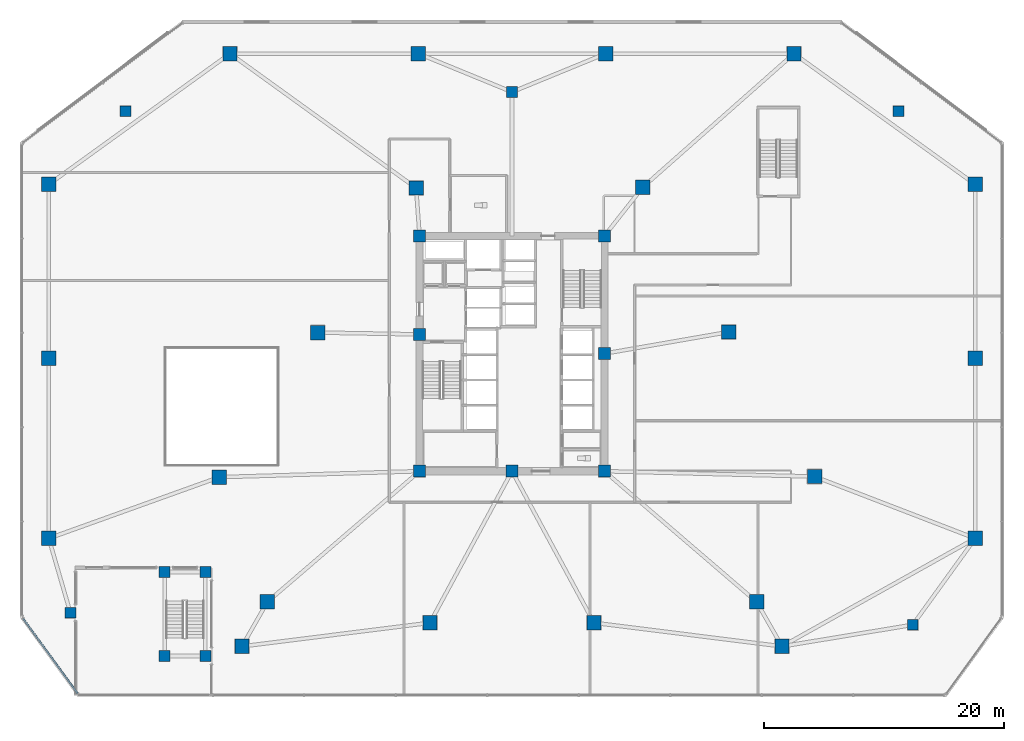
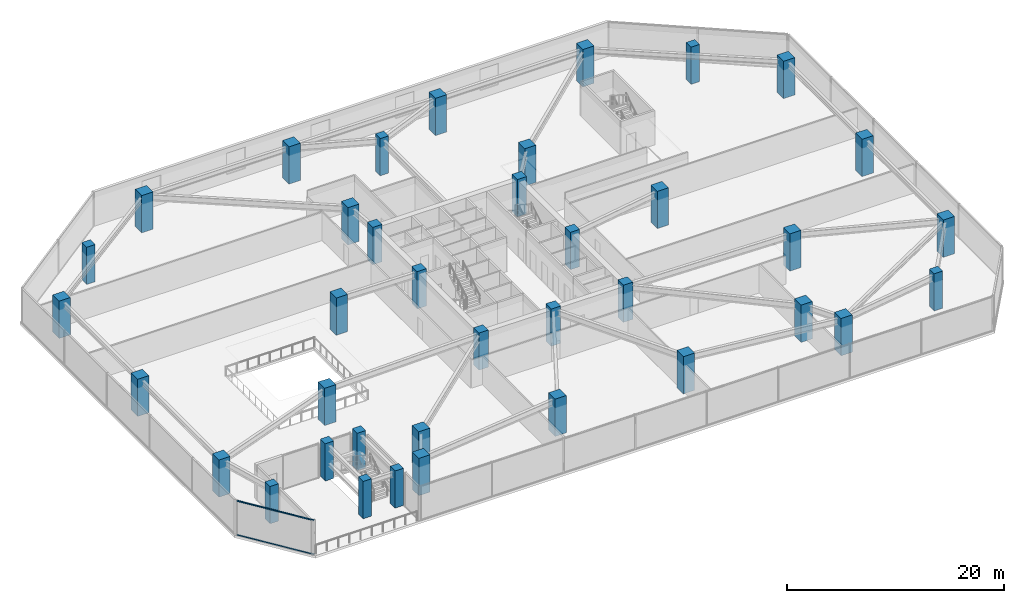
# One storey, part 1 of 22: 38 columns, 2 members, 1 element without a shape of its own.
"""IFC4 building model written with IfcOpenShell, lengths in metres."""

import ifcopenshell
import ifcopenshell.guid

model = None  # the IFC model being written
_history = None  # IfcOwnerHistory: only IFC2X3 demands one
_inside = {}  # id of a spatial element -> (the spatial element, [elements in it])
_under = {}  # id of a project, library or spatial element -> (it, [spatial elements below it])
_declared = {}  # id of a project -> (the project, [libraries it declares])
_typed = {}  # id of a type object -> (the type object, [elements of that type])
_made_of = {}  # id of a material, layer set ... -> (it, [elements and type objects made of it])


def new_model(schema):
    """Start an empty IFC model of exactly this schema.

    Asked for "IFC4X3", IfcOpenShell would pick the latest addendum, in which some entities
    have other attributes; the version numbers below select the first issue.
    IFC2X3 requires an IfcOwnerHistory on every rooted entity: one is made here for all.
    """
    global model, _history
    if schema == "IFC4X3":
        model = ifcopenshell.file(schema_version=(4, 3, 0, 0))
    else:
        model = ifcopenshell.file(schema=schema)
    _inside.clear()
    _under.clear()
    _declared.clear()
    _typed.clear()
    _made_of.clear()
    _history = None
    if model.schema == "IFC2X3":
        org = make("IfcOrganization", Name="unknown")
        user = make(
            "IfcPersonAndOrganization",
            ThePerson=make("IfcPerson", FamilyName="unknown"),
            TheOrganization=org,
        )
        app = make(
            "IfcApplication",
            ApplicationDeveloper=org,
            Version="unknown",
            ApplicationFullName="unknown",
            ApplicationIdentifier="unknown",
        )
        _history = make(
            "IfcOwnerHistory",
            OwningUser=user,
            OwningApplication=app,
            ChangeAction="ADDED",
            CreationDate=0,
        )
    return model


def make(cls, **values):
    """One entity of the class cls with the attributes given. An attribute that is None is left unset."""
    return model.create_entity(
        cls, **{name: value for name, value in values.items() if value is not None}
    )


def rooted(cls, **values):
    """An entity with a GlobalId (a new one), such as an element, a storey or a relation."""
    return make(cls, GlobalId=ifcopenshell.guid.new(), OwnerHistory=_history, **values)


def si_unit(unit_type, name, prefix=None):
    """IfcSIUnit, for example si_unit("LENGTHUNIT", "METRE", prefix="MILLI")."""
    return make("IfcSIUnit", UnitType=unit_type, Prefix=prefix, Name=name)


def assignment(units):
    """IfcUnitAssignment: the units of a project."""
    return None if units is None else make("IfcUnitAssignment", Units=units)


def point(xyz):
    """IfcCartesianPoint."""
    return None if xyz is None else make("IfcCartesianPoint", Coordinates=xyz)


def direction(xyz):
    """IfcDirection."""
    return None if xyz is None else make("IfcDirection", DirectionRatios=xyz)


def frame(location, z_axis=None, x_axis=None):
    """IfcAxis2Placement3D, a coordinate frame: its origin and axes. An axis left out is left unset."""
    return make(
        "IfcAxis2Placement3D",
        Location=point(location),
        Axis=direction(z_axis),
        RefDirection=direction(x_axis),
    )


def frame_2d(location, x_axis=None):
    """IfcAxis2Placement2D, a coordinate frame in the plane: its origin and x axis."""
    return make(
        "IfcAxis2Placement2D", Location=point(location), RefDirection=direction(x_axis)
    )


def origin():
    """The frame at (0, 0, 0) with its axes left unset."""
    return frame((0.0, 0.0, 0.0))


def origin_2d():
    """The frame at (0, 0) in the plane with its x axis left unset."""
    return frame_2d((0.0, 0.0))


def place(relative_to, where):
    """IfcLocalPlacement: puts the frame where relative to a parent placement (None: the world)."""
    return make(
        "IfcLocalPlacement", PlacementRelTo=relative_to, RelativePlacement=where
    )


def context(
    kind, dimensions, precision=None, world=None, true_north=None, identifier=None
):
    """IfcGeometricRepresentationContext, for example the 3D "Model" context."""
    return make(
        "IfcGeometricRepresentationContext",
        ContextIdentifier=identifier,
        ContextType=kind,
        CoordinateSpaceDimension=dimensions,
        Precision=precision,
        WorldCoordinateSystem=world,
        TrueNorth=true_north,
    )


def subcontext(parent, identifier, kind, view, scale=None):
    """IfcGeometricRepresentationSubContext, for example "Body" below "Model"."""
    return make(
        "IfcGeometricRepresentationSubContext",
        ContextIdentifier=identifier,
        ContextType=kind,
        ParentContext=parent,
        TargetScale=scale,
        TargetView=view,
    )


def project(units=None, contexts=None):
    """IfcProject with its units and contexts."""
    return rooted(
        "IfcProject",
        Name="project",
        RepresentationContexts=contexts,
        UnitsInContext=assignment(units),
    )


def spatial(cls, under=None, at=None, **own):
    """A site, building, storey or space (cls), placed at a placement, below another one or the project."""
    s = rooted(cls, ObjectPlacement=at, **own)
    if under is not None:
        _under.setdefault(under.id(), (under, []))[1].append(s)
    return s


def profile(cls, at=None, kind="AREA", **sizes):
    """A parametric profile (cls). Its sizes go by their IFC names, for example OverallWidth=200.0."""
    return make(cls, ProfileType=kind, Position=at, **sizes)


def rectangle(**sizes):
    """IfcRectangleProfileDef."""
    return profile("IfcRectangleProfileDef", **sizes)


def extrude(swept, where, along, depth):
    """IfcExtrudedAreaSolid: the profile swept, set in the frame where, extruded along a direction by depth."""
    return make(
        "IfcExtrudedAreaSolid",
        SweptArea=swept,
        Position=where,
        ExtrudedDirection=direction(along),
        Depth=depth,
    )


def shape(context_of_items, identifier, shape_type, items):
    """IfcShapeRepresentation: the items that make up one representation, for example the "Body"."""
    return make(
        "IfcShapeRepresentation",
        ContextOfItems=context_of_items,
        RepresentationIdentifier=identifier,
        RepresentationType=shape_type,
        Items=items,
    )


def material(Name=None, Category=None):
    """IfcMaterial."""
    return make("IfcMaterial", Name=Name, Category=Category)


def material_profile(
    of_material, cross_section, Name=None, Category=None, Priority=None
):
    """IfcMaterialProfile: a cross section and its material."""
    return make(
        "IfcMaterialProfile",
        Name=Name,
        Material=of_material,
        Profile=cross_section,
        Priority=Priority,
        Category=Category,
    )


def profile_set(profiles, Name=None, composite=None):
    """IfcMaterialProfileSet."""
    return make(
        "IfcMaterialProfileSet",
        Name=Name,
        MaterialProfiles=profiles,
        CompositeProfile=composite,
    )


def made_of(thing, what):
    """Note that an element or type object is made of a material, layer set ...; save() writes the relation."""
    if what is not None:
        _made_of.setdefault(what.id(), (what, []))[1].append(thing)
    return thing


def type_object(cls, material=None, **own):
    """A type object (cls), such as IfcWallType, which elements share."""
    return made_of(rooted(cls, **own), material)


def element(
    cls,
    number,
    at=None,
    inside=None,
    cuts=None,
    type_object=None,
    material=None,
    context=None,
    identifier="Body",
    shape_type=None,
    held_by="IfcProductDefinitionShape",
    body=None,
    shapes=None,
    **own,
):
    """One element of the class cls, such as IfcWall. Its Tag is "e" and its number.

    at: its placement. inside: the storey or other place that contains it. cuts: it is an
    opening in that element (IfcRelVoidsElement). A single representation is given by context,
    identifier, shape_type and body (its items); several are given by shapes. held_by: the class
    of the entity that holds the representations. save() writes the other relations.
    """
    e = rooted(cls, Tag="e%d" % number, ObjectPlacement=at, **own)
    if body is not None:
        shapes = [shape(context, identifier, shape_type, body)]
    if shapes is not None:
        e.Representation = make(held_by, Representations=shapes)
    if inside is not None:
        _inside.setdefault(inside.id(), (inside, []))[1].append(e)
    if cuts is not None:
        rooted(
            "IfcRelVoidsElement", RelatingBuildingElement=cuts, RelatedOpeningElement=e
        )
    if type_object is not None:
        _typed.setdefault(type_object.id(), (type_object, []))[1].append(e)
    return made_of(e, material)


def aggregate(whole, parts):
    """IfcRelAggregates: a whole, such as a stair, and the parts it consists of."""
    return rooted("IfcRelAggregates", RelatingObject=whole, RelatedObjects=parts)


def save(model, path):
    """Write the relations noted so far, then the file.

    IfcRelAggregates (storeys below a building ...), IfcRelContainedInSpatialStructure (elements
    in a storey), IfcRelDefinesByType, IfcRelAssociatesMaterial and IfcRelDeclares: one each for
    every whole, place, type object, material and project.
    """
    for whole, parts in _under.values():
        aggregate(whole, parts)
    for where, things in _inside.values():
        rooted(
            "IfcRelContainedInSpatialStructure",
            RelatedElements=things,
            RelatingStructure=where,
        )
    for kind, things in _typed.values():
        rooted("IfcRelDefinesByType", RelatedObjects=things, RelatingType=kind)
    for what, things in _made_of.values():
        rooted("IfcRelAssociatesMaterial", RelatedObjects=things, RelatingMaterial=what)
    for by, libraries in _declared.values():
        rooted("IfcRelDeclares", RelatingContext=by, RelatedDefinitions=libraries)
    model.write(path)


model = new_model("IFC4")

# Units and contexts
model_context = context("Model", 3, precision=1e-05, world=origin(), true_north=direction((0.0, 1.0)))
body_context = subcontext(model_context, "Body", "Model", "MODEL_VIEW")
ifc_project = project(units=[si_unit("LENGTHUNIT", "METRE"), si_unit("AREAUNIT", "SQUARE_METRE"), si_unit("VOLUMEUNIT", "CUBIC_METRE"), si_unit("PLANEANGLEUNIT", "RADIAN"), si_unit("MASSUNIT", "GRAM", prefix="KILO")], contexts=[model_context])

# Site, building, storey
site_placement = place(None, origin())
site = spatial("IfcSite", under=ifc_project, at=site_placement, CompositionType="ELEMENT")
building_placement = place(site_placement, origin())
building = spatial("IfcBuilding", under=site, at=building_placement, Name="Savorim Split Tower", CompositionType="ELEMENT")
storey_placement = place(building_placement, frame((0.0, 0.0, 17.60009765625)))
storey = spatial("IfcBuildingStorey", under=building, at=storey_placement, Name="L04", CompositionType="ELEMENT", Elevation=17.60009765625)

# Columns
ifc_material_1 = material(Name="Concrete C60/75", Category="concrete")
ifc_material_profile_1 = material_profile(ifc_material_1, rectangle(XDim=1.0, YDim=1.0, at=origin_2d()), Name="RC 1000x1000")
ifc_profile_set_1 = profile_set([ifc_material_profile_1], Name="Concrete C60/75")
column_type_1 = type_object("IfcColumnType", Name="COL-RC-1000", PredefinedType="COLUMN", material=ifc_profile_set_1)
for number, where, z_axis, x_axis, name in (
    (1, (-7.699951171875, -9.39990234375, 0.0), (0.0, 0.0, 1.0), (1.0, 0.0, 0.0), "L04 Core Structural Column TC-C1"),
    (2, (7.699951171875, -9.39990234375, 0.0), (0.0, 0.0, 1.0), (1.0, 0.0, 0.0), "L04 Core Structural Column TC-C2"),
    (3, (7.699951171875, 10.199951171875, 0.0), (0.0, 0.0, 1.0), (1.0, 0.0, 0.0), "L04 Core Structural Column TC-C3"),
    (4, (-7.699951171875, 10.199951171875, 0.0), (0.0, 0.0, 1.0), (1.0, 0.0, 0.0), "L04 Core Structural Column TC-C4"),
    (5, (0.0, -9.39990234375, 0.0), (0.0, 0.0, 1.0), (1.0, 0.0, 0.0), "L04 Core Structural Column TC-C5"),
    (6, (7.699951171875, 0.39990234375, 0.0), (0.0, 0.0, 1.0), (1.0, 0.0, 0.0), "L04 Core Structural Column TC-C6"),
    (7, (-7.699951171875, 2.0, 0.0), (0.0, 0.0, 1.0), (1.0, 0.0, 0.0), "L04 Core Structural Column TC-C7"),
):
    element("IfcColumn", number, at=place(storey_placement, frame(where, z_axis=z_axis, x_axis=x_axis)), inside=storey, type_object=column_type_1, Name=name, PredefinedType="COLUMN", context=body_context, shape_type="SweptSolid", body=[
        extrude(rectangle(XDim=1.0, YDim=1.0, at=origin_2d()), origin(), (0.0, 0.0, 1.0), 4.199951171875),
    ])
ifc_material_profile_2 = material_profile(ifc_material_1, rectangle(XDim=1.199951171875, YDim=1.199951171875, at=origin_2d()), Name="RC 1200x1200")
ifc_profile_set_2 = profile_set([ifc_material_profile_2], Name="Concrete C60/75")
column_type_2 = type_object("IfcColumnType", Name="COL-RC-1200", PredefinedType="COLUMN", material=ifc_profile_set_2)
for number, where, z_axis, x_axis, name in (
    (8, (38.60009765625, -15.0, 0.0), (0.0, 0.0, 1.0), (1.0, 0.0, 0.0), "L04 Podium Perimeter Column DC-05"),
    (9, (38.60009765625, 0.0, 0.0), (0.0, 0.0, 1.0), (1.0, 0.0, 0.0), "L04 Podium Perimeter Column DC-06"),
    (10, (38.60009765625, 14.5, 0.0), (0.0, 0.0, 1.0), (1.0, 0.0, 0.0), "L04 Podium Perimeter Column DC-07"),
    (11, (23.5, 25.39990234375, 0.0), (0.0, 0.0, 1.0), (1.0, 0.0, 0.0), "L04 Podium Perimeter Column DC-08"),
    (12, (7.800048828125, 25.39990234375, 0.0), (0.0, 0.0, 1.0), (1.0, 0.0, 0.0), "L04 Podium Perimeter Column DC-09"),
    (13, (-7.800048828125, 25.39990234375, 0.0), (0.0, 0.0, 1.0), (1.0, 0.0, 0.0), "L04 Podium Perimeter Column DC-10"),
    (14, (-23.5, 25.39990234375, 0.0), (0.0, 0.0, 1.0), (1.0, 0.0, 0.0), "L04 Podium Perimeter Column DC-11"),
    (15, (-38.60009765625, 14.5, 0.0), (0.0, 0.0, 1.0), (1.0, 0.0, 0.0), "L04 Podium Perimeter Column DC-12"),
    (16, (-38.60009765625, 0.0, 0.0), (0.0, 0.0, 1.0), (1.0, 0.0, 0.0), "L04 Podium Perimeter Column DC-13"),
    (17, (-38.60009765625, -15.0, 0.0), (0.0, 0.0, 1.0), (1.0, 0.0, 0.0), "L04 Podium Perimeter Column DC-14"),
    (18, (-22.5, -24.0, 0.0), (0.0, 0.0, 1.0), (1.0, 0.0, 0.0), "L04 Podium Perimeter Column DC-01"),
    (19, (22.5, -24.0, 0.0), (0.0, 0.0, 1.0), (1.0, 0.0, 0.0), "L04 Podium Perimeter Column DC-04"),
    (20, (-20.384033203125, -20.291748046875, 0.0), (0.0, 0.0, 1.0), (1.0, 0.0, 0.0), "L04 Tower Transfer Pier Column PC-S1"),
    (21, (-6.831787109375, -22.03173828125, 0.0), (0.0, 0.0, 1.0), (1.0, 0.0, 0.0), "L04 Tower Transfer Pier Column PC-S2"),
    (22, (6.831787109375, -22.03173828125, 0.0), (0.0, 0.0, 1.0), (1.0, 0.0, 0.0), "L04 Tower Transfer Pier Column PC-S3"),
    (23, (20.384033203125, -20.291748046875, 0.0), (0.0, 0.0, 1.0), (1.0, 0.0, 0.0), "L04 Tower Transfer Pier Column PC-S4"),
    (24, (25.21337890625, -9.845458984375, 0.0), (0.0, 0.0, 1.0), (1.0, 0.0, 0.0), "L04 Tower Transfer Pier Column PC-E1"),
    (25, (18.049560546875, 2.202392578125, 0.0), (0.0, 0.0, 1.0), (1.0, 0.0, 0.0), "L04 Tower Transfer Pier Column PC-E2"),
    (26, (10.885498046875, 14.25048828125, 0.0), (0.0, 0.0, 1.0), (1.0, 0.0, 0.0), "L04 Tower Transfer Pier Column PC-E3"),
    (27, (-7.992431640625, 14.20166015625, 0.0), (0.0, 0.0, 1.0), (1.0, 0.0, 0.0), "L04 Tower Transfer Pier Column PC-W1"),
    (28, (-16.1884765625, 2.15380859375, 0.0), (0.0, 0.0, 1.0), (1.0, 0.0, 0.0), "L04 Tower Transfer Pier Column PC-W2"),
    (29, (-24.384521484375, -9.894287109375, 0.0), (0.0, 0.0, 1.0), (1.0, 0.0, 0.0), "L04 Tower Transfer Pier Column PC-W3"),
):
    element("IfcColumn", number, at=place(storey_placement, frame(where, z_axis=z_axis, x_axis=x_axis)), inside=storey, type_object=column_type_2, Name=name, PredefinedType="COLUMN", context=body_context, shape_type="SweptSolid", body=[
        extrude(rectangle(XDim=1.199951171875, YDim=1.199951171875, at=origin_2d()), origin(), (0.0, 0.0, 1.0), 4.199951171875),
    ])
ifc_material_profile_3 = material_profile(ifc_material_1, rectangle(XDim=0.89990234375, YDim=0.89990234375, at=origin_2d()), Name="RC 900x900")
ifc_profile_set_3 = profile_set([ifc_material_profile_3], Name="Concrete C60/75")
column_type_3 = type_object("IfcColumnType", Name="COL-RC-900", PredefinedType="COLUMN", material=ifc_profile_set_3)
for number, where, z_axis, x_axis, name in (
    (30, (33.39990234375, -22.199951171875, 0.0), (0.0, 0.0, 1.0), (1.0, 0.0, 0.0), "L04 Podium Support Column GC-01"),
    (31, (32.199951171875, 20.60009765625, 0.0), (0.0, 0.0, 1.0), (1.0, 0.0, 0.0), "L04 Podium Support Column GC-02"),
    (32, (-32.199951171875, 20.60009765625, 0.0), (0.0, 0.0, 1.0), (1.0, 0.0, 0.0), "L04 Podium Support Column GC-03"),
    (33, (-36.800048828125, -21.199951171875, 0.0), (0.0, 0.0, 1.0), (1.0, 0.0, 0.0), "L04 Podium Support Column GC-04"),
    (34, (0.0, 22.199951171875, 0.0), (0.0, 0.0, 1.0), (1.0, 0.0, 0.0), "L04 Podium Support Column GC-05"),
    (35, (-28.949951171875, -24.800048828125, 0.0), (0.0, 0.0, 1.0), (1.0, 0.0, 0.0), "L04 Podium Support Column GSC-1"),
    (36, (-25.550048828125, -24.800048828125, 0.0), (0.0, 0.0, 1.0), (1.0, 0.0, 0.0), "L04 Podium Support Column GSC-2"),
    (37, (-28.949951171875, -17.800048828125, 0.0), (0.0, 0.0, 1.0), (1.0, 0.0, 0.0), "L04 Podium Support Column GSC-3"),
    (38, (-25.550048828125, -17.800048828125, 0.0), (0.0, 0.0, 1.0), (1.0, 0.0, 0.0), "L04 Podium Support Column GSC-4"),
):
    element("IfcColumn", number, at=place(storey_placement, frame(where, z_axis=z_axis, x_axis=x_axis)), inside=storey, type_object=column_type_3, Name=name, PredefinedType="COLUMN", context=body_context, shape_type="SweptSolid", body=[
        extrude(rectangle(XDim=0.89990234375, YDim=0.89990234375, at=origin_2d()), origin(), (0.0, 0.0, 1.0), 4.199951171875),
    ])

# Curtain wall, members
ifc_material_2 = material(Name="Dark Ceramic-Fritted Insulated Glass", Category="glass")
curtain_wall_type = type_object("IfcCurtainWallType", Name="CW-POD-GLZ", PredefinedType="NOTDEFINED", material=ifc_material_2)
curtain_wall_placement = place(storey_placement, origin())
curtain_wall = element("IfcCurtainWall", 39, at=curtain_wall_placement, inside=storey, type_object=curtain_wall_type, Name="L04 Curtain Wall CW-L04-E11", PredefinedType="NOTDEFINED")
ifc_material_3 = material(Name="Charcoal Anodised Aluminium", Category="aluminium")
ifc_material_profile_4 = material_profile(ifc_material_3, rectangle(XDim=0.159912109375, YDim=0.06005859375, at=origin_2d()), Name="ALU-T 160x60")
ifc_profile_set_4 = profile_set([ifc_material_profile_4], Name="Charcoal Anodised Aluminium")
member_type = type_object("IfcMemberType", Name="CWT-160x60", PredefinedType="USERDEFINED", material=ifc_profile_set_4)
member_1_placement = place(storey_placement, frame((-40.7470703125, -21.67578125, 0.02978515625), z_axis=(0.588177323599, -0.808731992692, 0.0), x_axis=(0.808731992692, 0.588177323599, 0.0)))
member_1 = element("IfcMember", 40, at=member_1_placement, type_object=member_type, Name="CW-01 transom 1.1", ObjectType="TRANSOM", PredefinedType="USERDEFINED", context=body_context, shape_type="SweptSolid", body=[
    extrude(rectangle(XDim=0.159912109375, YDim=0.06005859375, at=origin_2d()), origin(), (0.0, 0.0, 1.0), 7.74072265625),
])
member_2_placement = place(storey_placement, frame((-40.7470703125, -21.67578125, 3.849853515625), z_axis=(0.588177323599, -0.808731992692, 0.0), x_axis=(0.808731992692, 0.588177323599, 0.0)))
member_2 = element("IfcMember", 41, at=member_2_placement, type_object=member_type, Name="CW-01 transom 1.2", ObjectType="TRANSOM", PredefinedType="USERDEFINED", context=body_context, shape_type="SweptSolid", body=[
    extrude(rectangle(XDim=0.159912109375, YDim=0.06005859375, at=origin_2d()), origin(), (0.0, 0.0, 1.0), 7.74072265625),
])
aggregate(curtain_wall, [member_1, member_2])

save(model, "model.ifc")
